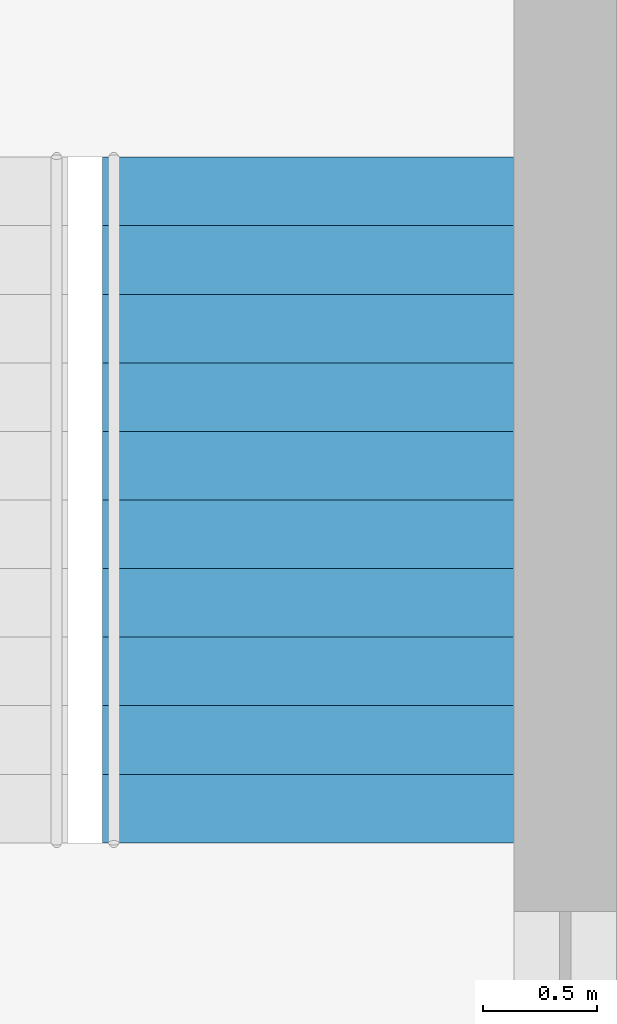
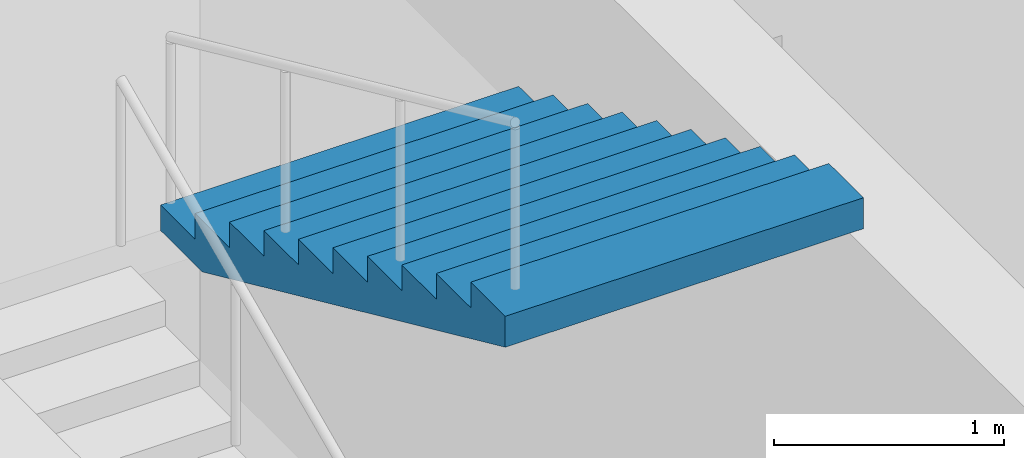
# One storey, part 10 of 13: 1 stair flight, 1 element without a shape of its own.
"""IFC4 building model written with IfcOpenShell, lengths in metres."""

from ifc_helpers import new_model, si_unit, direction, frame, origin, place, context, subcontext, project, spatial, polyline, outline, extrude, material, type_object, element, aggregate, save


model = new_model("IFC4")

# Units and contexts
model_context = context("Model", 3, precision=1e-05, world=origin(), true_north=direction((0.0, 1.0)))
body_context = subcontext(model_context, "Body", "Model", "MODEL_VIEW")
ifc_project = project(units=[si_unit("LENGTHUNIT", "METRE"), si_unit("AREAUNIT", "SQUARE_METRE"), si_unit("VOLUMEUNIT", "CUBIC_METRE"), si_unit("PLANEANGLEUNIT", "RADIAN"), si_unit("MASSUNIT", "GRAM", prefix="KILO")], contexts=[model_context])

# Site, building, storey
site_placement = place(None, origin())
site = spatial("IfcSite", under=ifc_project, at=site_placement, CompositionType="ELEMENT")
building_placement = place(site_placement, origin())
building = spatial("IfcBuilding", under=site, at=building_placement, Name="Dunama Terrace Hotel", CompositionType="ELEMENT")
storey_placement = place(building_placement, frame((0.0, 0.0, 147.60009765625)))
storey = spatial("IfcBuildingStorey", under=building, at=storey_placement, Name="L38", CompositionType="ELEMENT", Elevation=147.60009765625)

# Stair, stair flight
ifc_material_1 = material(Name="Concrete C40/50", Category="concrete")
stair_type = type_object("IfcStairType", Name="Stair ST1-6000-1800", PredefinedType="HALF_TURN_STAIR", material=ifc_material_1)
stair_placement = place(storey_placement, origin())
stair = element("IfcStair", 1, at=stair_placement, inside=storey, type_object=stair_type, Name="Stair ST1 L38", PredefinedType="HALF_TURN_STAIR")
ifc_material_2 = material(Name="Concrete C40/50", Category="concrete")
stair_flight_type = type_object("IfcStairFlightType", Name="Stair flight ST1-6000-1800", PredefinedType="STRAIGHT", material=ifc_material_2)
stair_flight_placement = place(storey_placement, frame((28.27490234375, 38.625, 4.5), z_axis=(0.0, 0.0, 1.0), x_axis=(0.0, -1.0, 0.0)))
stair_flight = element("IfcStairFlight", 2, at=stair_flight_placement, type_object=stair_flight_type, Name="ST1 flight 4", NumberOfRisers=11, NumberOfTreads=10, PredefinedType="STRAIGHT", RiserHeight=0.136363636, TreadLength=0.3, context=body_context, shape_type="SweptSolid", body=[
    extrude(outline(polyline([(0.0, 0.0), (0.0, 0.136474609375), (0.300048828125, 0.136474609375), (0.300048828125, 0.272705078125), (0.60009765625, 0.272705078125), (0.60009765625, 0.4091796875), (0.89990234375, 0.4091796875), (0.89990234375, 0.54541015625), (1.199951171875, 0.54541015625), (1.199951171875, 0.681884765625), (1.5, 0.681884765625), (1.5, 0.818115234375), (1.800048828125, 0.818115234375), (1.800048828125, 0.95458984375), (2.10009765625, 0.95458984375), (2.10009765625, 1.0908203125), (2.39990234375, 1.0908203125), (2.39990234375, 1.227294921875), (2.699951171875, 1.227294921875), (2.699951171875, 1.363525390625), (3.0, 1.363525390625), (3.0, 1.5), (3.0, 1.198974609375), (0.3623046875, 0.0), (0.0, 0.0)])), frame((0.0, 0.89990234375, 0.0), z_axis=(0.0, -1.0, 0.0), x_axis=(1.0, 0.0, 0.0)), (0.0, 0.0, 1.0), 1.800048828125),
])
aggregate(stair, [stair_flight])

save(model, "model.ifc")
